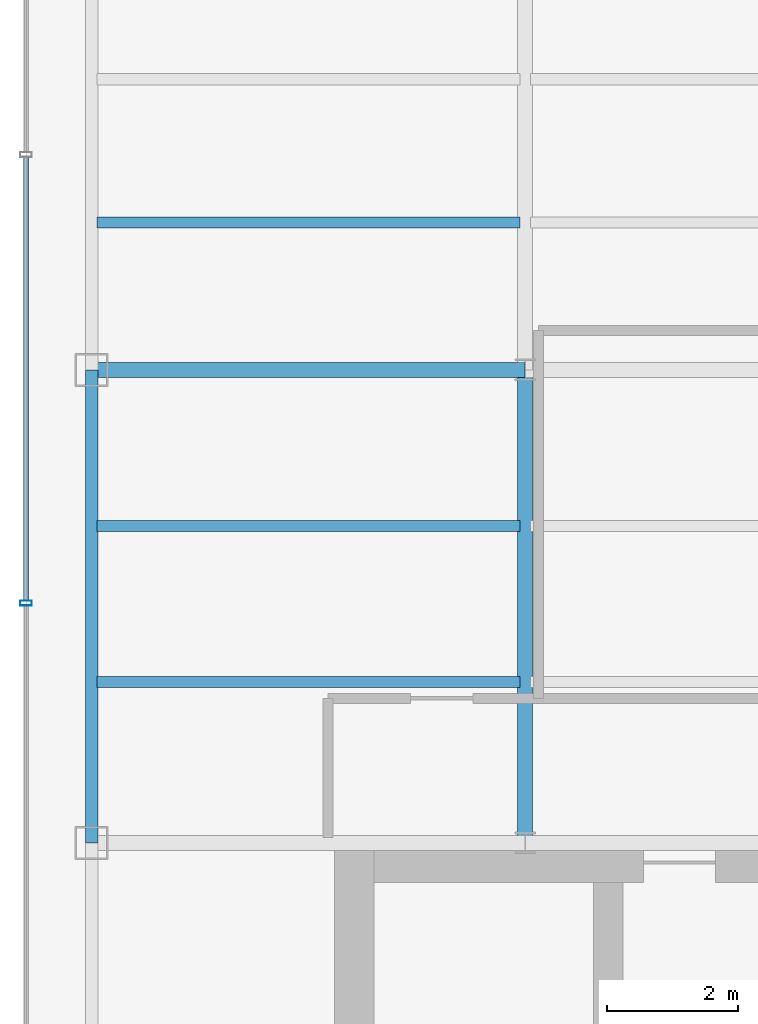
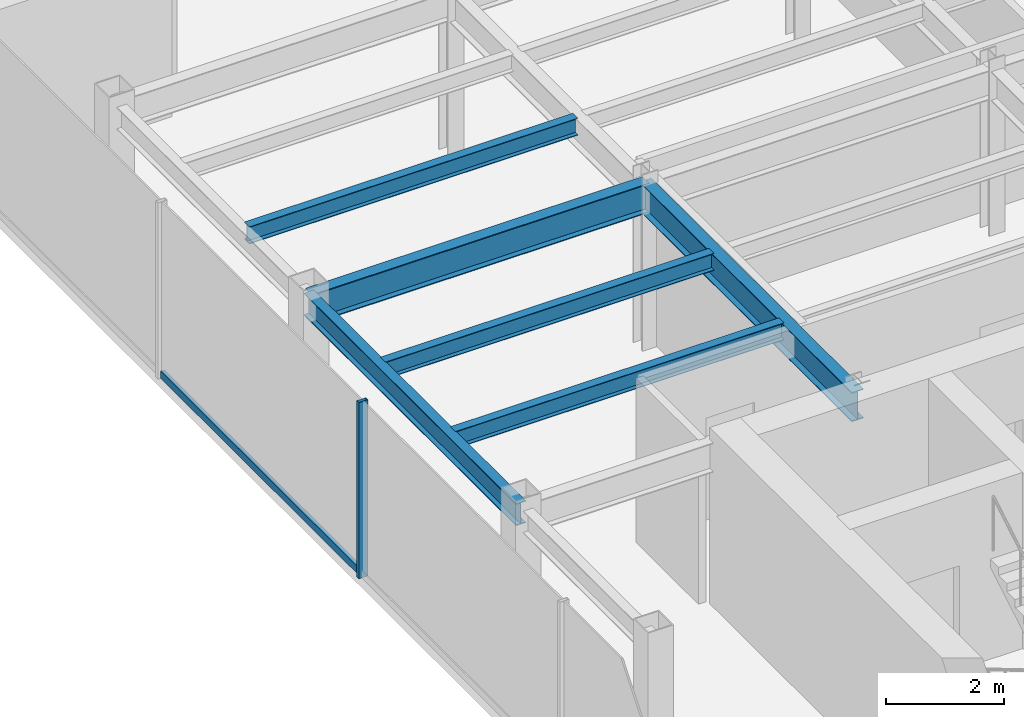
# One storey, part 5 of 22: 6 beams, 2 members, 1 element without a shape of its own.
"""IFC4 building model written with IfcOpenShell, lengths in metres."""

from ifc_helpers import new_model, si_unit, derived_unit, direction, frame, origin, origin_2d, place, context, subcontext, project, spatial, hollow_rectangle, i_section, extrude, source, transform, mapped, material, material_profile, profile_set, type_object, element, aggregate, save


model = new_model("IFC4")

# Units and contexts
model_context = context("Model", 3, precision=1e-05, world=origin(), true_north=direction((0.0, 1.0)))
body_context = subcontext(model_context, "Body", "Model", "MODEL_VIEW")
ifc_project = project(units=[si_unit("LENGTHUNIT", "METRE"), si_unit("AREAUNIT", "SQUARE_METRE"), si_unit("VOLUMEUNIT", "CUBIC_METRE"), si_unit("PLANEANGLEUNIT", "RADIAN"), si_unit("MASSUNIT", "GRAM", prefix="KILO"), derived_unit("THERMALTRANSMITTANCEUNIT", [(si_unit("POWERUNIT", "WATT"), 1), (si_unit("LENGTHUNIT", "METRE"), -2), (si_unit("THERMODYNAMICTEMPERATUREUNIT", "KELVIN"), -1)])], contexts=[model_context])

# Site, building, storey
site_placement = place(None, origin())
site = spatial("IfcSite", under=ifc_project, at=site_placement, CompositionType="ELEMENT")
building_placement = place(site_placement, origin())
building = spatial("IfcBuilding", under=site, at=building_placement, Name="Skarnbrae Concourse Arena and Tower", CompositionType="ELEMENT")
storey_placement = place(building_placement, frame((0.0, 0.0, 195.89990234375)))
storey = spatial("IfcBuildingStorey", under=building, at=storey_placement, Name="L50", CompositionType="ELEMENT", Elevation=195.89990234375)

# Beams
ifc_material_1 = material(Name="Steel CSA G40.21 350W", Category="steel")
ifc_material_profile_1 = material_profile(ifc_material_1, i_section(OverallWidth=0.22802734375, OverallDepth=0.60791015625, WebThickness=0.01123046875, FlangeThickness=0.017333984375, at=origin_2d()), Name="W610X113")
ifc_profile_set_1 = profile_set([ifc_material_profile_1], Name="Steel CSA G40.21 350W")
beam_type_1 = type_object("IfcBeamType", Name="BM-GIRD-W610X113", PredefinedType="BEAM", material=ifc_profile_set_1)
shared_shape_1 = source(origin(), body_context, "Body", "SweptSolid", [
    extrude(i_section(OverallWidth=0.22802734375, OverallDepth=0.60791015625, WebThickness=0.01123046875, FlangeThickness=0.017333984375, at=origin_2d()), origin(), (0.0, 0.0, 1.0), 6.60009765625),
])
beam_1_placement = place(storey_placement, frame((1.0, 21.199951171875, 3.09619140625), z_axis=(1.0, 0.0, 0.0), x_axis=(0.0, 1.0, 0.0)))
element("IfcBeam", 1, at=beam_1_placement, inside=storey, type_object=beam_type_1, Name="L50 Primary E-W girder Y21.2-1", PredefinedType="BEAM", context=body_context, shape_type="MappedRepresentation", body=[
    mapped(shared_shape_1, transform((0.0, 0.0, 0.0))),
])
ifc_material_profile_2 = material_profile(ifc_material_1, i_section(OverallWidth=0.19091796875, OverallDepth=0.4599609375, WebThickness=0.010009765625, FlangeThickness=0.01611328125, at=origin_2d()), Name="W460X82")
ifc_profile_set_2 = profile_set([ifc_material_profile_2], Name="Steel CSA G40.21 350W")
beam_type_2 = type_object("IfcBeamType", Name="BM-SPAN-W460X82", PredefinedType="SPANDREL", material=ifc_profile_set_2)
shared_shape_2 = source(origin(), body_context, "Body", "SweptSolid", [
    extrude(i_section(OverallWidth=0.19091796875, OverallDepth=0.4599609375, WebThickness=0.010009765625, FlangeThickness=0.01611328125, at=origin_2d()), origin(), (0.0, 0.0, 1.0), 7.199951171875),
])
beam_2_placement = place(storey_placement, frame((1.0, 14.0, 3.170166015625), z_axis=(0.0, 1.0, 0.0), x_axis=(-1.0, 0.0, 0.0)))
element("IfcBeam", 2, at=beam_2_placement, inside=storey, type_object=beam_type_2, Name="L50 Perimeter spandrel X1.0-2", PredefinedType="SPANDREL", context=body_context, shape_type="MappedRepresentation", body=[
    mapped(shared_shape_2, transform((0.0, 0.0, 0.0))),
])
shared_shape_3 = source(origin(), body_context, "Body", "SweptSolid", [
    extrude(i_section(OverallWidth=0.22802734375, OverallDepth=0.60791015625, WebThickness=0.01123046875, FlangeThickness=0.017333984375, at=origin_2d()), origin(), (0.0, 0.0, 1.0), 7.199951171875),
])
beam_3_placement = place(storey_placement, frame((7.60009765625, 14.0, 3.09619140625), z_axis=(0.0, 1.0, 0.0), x_axis=(-1.0, 0.0, 0.0)))
element("IfcBeam", 3, at=beam_3_placement, inside=storey, type_object=beam_type_1, Name="L50 Primary N-S girder X7.6-1", PredefinedType="BEAM", context=body_context, shape_type="MappedRepresentation", body=[
    mapped(shared_shape_3, transform((0.0, 0.0, 0.0))),
])
ifc_material_profile_3 = material_profile(ifc_material_1, i_section(OverallWidth=0.1708984375, OverallDepth=0.35498046875, WebThickness=0.007080078125, FlangeThickness=0.01171875, at=origin_2d()), Name="W360X51")
ifc_profile_set_3 = profile_set([ifc_material_profile_3], Name="Steel CSA G40.21 350W")
beam_type_3 = type_object("IfcBeamType", Name="BM-JOIST-W360X51", PredefinedType="JOIST", material=ifc_profile_set_3)
shared_shape_4 = source(origin(), body_context, "Body", "SweptSolid", [
    extrude(i_section(OverallWidth=0.1708984375, OverallDepth=0.35498046875, WebThickness=0.007080078125, FlangeThickness=0.01171875, at=origin_2d()), origin(), (0.0, 0.0, 1.0), 6.43994140625),
])
for number, where, z_axis, x_axis, name in (
    (4, (1.080078125, 16.447998046875, 3.22265625), (1.0, 0.0, 0.0), (0.0, 1.0, 0.0), "L50 Secondary floor joist 1.1.1"),
    (5, (1.080078125, 18.823974609375, 3.22265625), (1.0, 0.0, 0.0), (0.0, 1.0, 0.0), "L50 Secondary floor joist 1.2.1"),
    (6, (1.080078125, 23.444091796875, 3.22265625), (1.0, 0.0, 0.0), (0.0, 1.0, 0.0), "L50 Secondary floor joist 2.1.1"),
):
    element("IfcBeam", number, at=place(storey_placement, frame(where, z_axis=z_axis, x_axis=x_axis)), inside=storey, type_object=beam_type_3, Name=name, PredefinedType="JOIST", context=body_context, shape_type="MappedRepresentation", body=[
        mapped(shared_shape_4, transform((0.0, 0.0, 0.0))),
    ])

# Curtain wall, members
ifc_material_2 = material(Name="Bronze anodised aluminium 6063-T6", Category="aluminium")
curtain_wall_type = type_object("IfcCurtainWallType", Name="CW-SYS-05-HIGHZONE", PredefinedType="USERDEFINED", material=ifc_material_2)
curtain_wall_placement = place(storey_placement, origin())
curtain_wall = element("IfcCurtainWall", 7, at=curtain_wall_placement, inside=storey, type_object=curtain_wall_type, Name="L50 Unitised curtain wall CW-L50-E18", ObjectType="UNITISED CURTAIN WALL", PredefinedType="USERDEFINED")
ifc_material_profile_4 = material_profile(ifc_material_2, hollow_rectangle(XDim=0.074951171875, YDim=0.14990234375, WallThickness=0.00390625, at=origin_2d()), Name="ALU-TRAN-75X150")
ifc_profile_set_4 = profile_set([ifc_material_profile_4], Name="Bronze anodised aluminium 6063-T6")
member_type_1 = type_object("IfcMemberType", Name="CWT-CW-05", PredefinedType="USERDEFINED", material=ifc_profile_set_4)
shared_shape_5 = source(origin(), body_context, "Body", "SweptSolid", [
    extrude(hollow_rectangle(XDim=0.074951171875, YDim=0.14990234375, WallThickness=0.00390625, at=origin_2d()), origin(), (0.0, 0.0, 1.0), 6.75),
])
member_1_placement = place(storey_placement, frame((0.0, 24.4375, 0.0751953125), z_axis=(0.0, -1.0, 0.0), x_axis=(1.0, 0.0, 0.0)))
member_1 = element("IfcMember", 8, at=member_1_placement, type_object=member_type_1, Name="CW-L50-E18 Transom 2", ObjectType="TRANSOM", PredefinedType="USERDEFINED", context=body_context, shape_type="MappedRepresentation", body=[
    mapped(shared_shape_5, transform((0.0, 0.0, 0.0))),
])
ifc_material_profile_5 = material_profile(ifc_material_2, hollow_rectangle(XDim=0.074951171875, YDim=0.179931640625, WallThickness=0.00390625, at=origin_2d()), Name="ALU-MULL-75X180")
ifc_profile_set_5 = profile_set([ifc_material_profile_5], Name="Bronze anodised aluminium 6063-T6")
member_type_2 = type_object("IfcMemberType", Name="CWM-CW-05", PredefinedType="MULLION", material=ifc_profile_set_5)
shared_shape_6 = source(origin(), body_context, "Body", "SweptSolid", [
    extrude(hollow_rectangle(XDim=0.074951171875, YDim=0.179931640625, WallThickness=0.00390625, at=origin_2d()), origin(), (0.0, 0.0, 1.0), 3.650146484375),
])
member_2_placement = place(storey_placement, frame((0.0, 17.64990234375, 0.0), z_axis=(0.0, 0.0, 1.0), x_axis=(0.0, -1.0, 0.0)))
member_2 = element("IfcMember", 9, at=member_2_placement, type_object=member_type_2, Name="CW-L50-E18 Mullion 3", PredefinedType="MULLION", context=body_context, shape_type="MappedRepresentation", body=[
    mapped(shared_shape_6, transform((0.0, 0.0, 0.0))),
])
aggregate(curtain_wall, [member_2, member_1])

save(model, "model.ifc")
